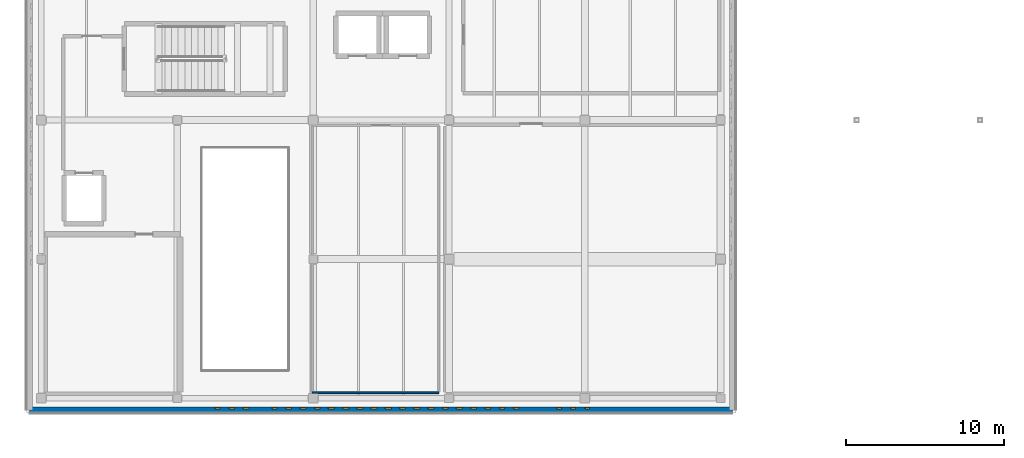
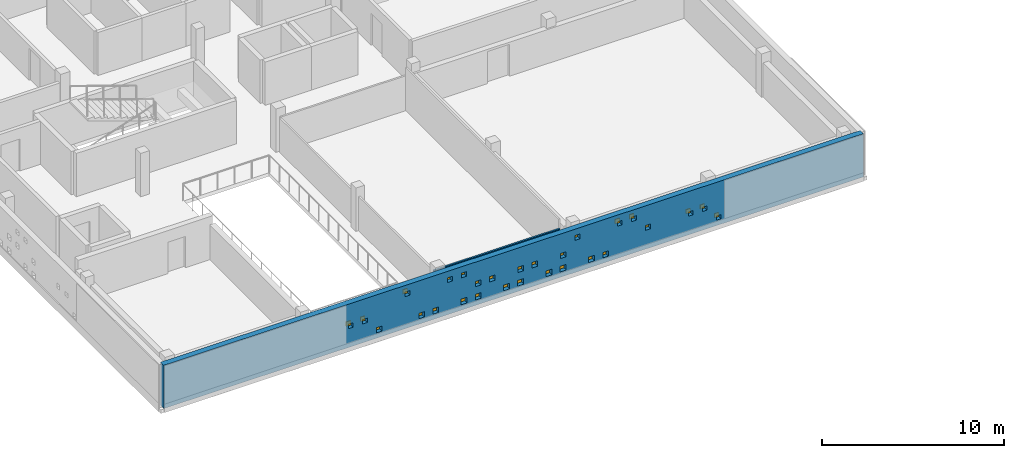
# One storey, part 8 of 17: 28 windows, 2 walls, 28 openings.
"""IFC4 building model written with IfcOpenShell, lengths in metres."""

from ifc_helpers import new_model, si_unit, direction, frame, frame_2d, origin, place, context, subcontext, project, spatial, rectangle, extrude, material, layer, layer_set, type_object, element, fill, save


model = new_model("IFC4")

# Units and contexts
model_context = context("Model", 3, precision=1e-05, world=origin(), true_north=direction((0.0, 1.0)))
body_context = subcontext(model_context, "Body", "Model", "MODEL_VIEW")
ifc_project = project(units=[si_unit("LENGTHUNIT", "METRE"), si_unit("AREAUNIT", "SQUARE_METRE"), si_unit("VOLUMEUNIT", "CUBIC_METRE"), si_unit("PLANEANGLEUNIT", "RADIAN"), si_unit("MASSUNIT", "GRAM", prefix="KILO")], contexts=[model_context])

# Site, building, storey
site_placement = place(None, origin())
site = spatial("IfcSite", under=ifc_project, at=site_placement, CompositionType="ELEMENT")
building_placement = place(site_placement, origin())
building = spatial("IfcBuilding", under=site, at=building_placement, Name="Varnakota Cinema and Media Centre", CompositionType="ELEMENT")
storey_placement = place(building_placement, frame((0.0, 0.0, 22.35009765625)))
storey = spatial("IfcBuildingStorey", under=building, at=storey_placement, Name="L06", CompositionType="ELEMENT", Elevation=22.35009765625)

# Wall, openings, windows
ifc_material_1 = material(Name="Pale Tandur limestone cladding", Category="masonry")
ifc_layer_1 = layer(ifc_material_1, 0.360107421875)
ifc_layer_set_1 = layer_set([ifc_layer_1], Name="Pale Tandur limestone cladding")
wall_type_1 = type_object("IfcWallType", Name="W-EXT-TANDUR-360", PredefinedType="SOLIDWALL", material=ifc_layer_set_1)
wall_1_placement = place(storey_placement, frame((43.739990234375, -0.739990234375, 0.0), z_axis=(0.0, 0.0, 1.0), x_axis=(-1.0, 0.0, 0.0)))
wall_1 = element("IfcWall", 1, at=wall_1_placement, inside=storey, type_object=wall_type_1, Name="L06 V4 pale Tandur stone monolith wall V4-S", PredefinedType="SOLIDWALL", context=body_context, shape_type="SweptSolid", body=[
    extrude(rectangle(XDim=44.47998046875, YDim=0.360107421875, at=frame_2d((22.239990234375, 0.0))), origin(), (0.0, 0.0, 1.0), 2.909912109375),
])
opening_1_placement = place(wall_1_placement, frame((9.050048828125, 0.0, 0.360107421875)))
opening_1 = element("IfcOpeningElement", 2, at=opening_1_placement, cuts=wall_1, Name="Opening WP15", PredefinedType="OPENING", context=body_context, shape_type="SweptSolid", body=[
    extrude(rectangle(XDim=0.280029296875, YDim=0.280029296875, at=frame_2d((0.14013671875, 0.14013671875))), frame((0.0, 0.18017578125, 0.0), z_axis=(0.0, -1.0, 0.0), x_axis=(1.0, 0.0, 0.0)), (0.0, 0.0, 1.0), 0.360107421875),
])
opening_2_placement = place(wall_1_placement, frame((9.949951171875, 0.0, 1.260009765625)))
opening_2 = element("IfcOpeningElement", 3, at=opening_2_placement, cuts=wall_1, Name="Opening WP15", PredefinedType="OPENING", context=body_context, shape_type="SweptSolid", body=[
    extrude(rectangle(XDim=0.280029296875, YDim=0.280029296875, at=frame_2d((0.14013671875, 0.14013671875))), frame((0.0, 0.18017578125, 0.0), z_axis=(0.0, -1.0, 0.0), x_axis=(1.0, 0.0, 0.0)), (0.0, 0.0, 1.0), 0.360107421875),
])
opening_3_placement = place(wall_1_placement, frame((10.85009765625, 0.0, 1.260009765625)))
opening_3 = element("IfcOpeningElement", 4, at=opening_3_placement, cuts=wall_1, Name="Opening WP15", PredefinedType="OPENING", context=body_context, shape_type="SweptSolid", body=[
    extrude(rectangle(XDim=0.280029296875, YDim=0.280029296875, at=frame_2d((0.14013671875, 0.14013671875))), frame((0.0, 0.18017578125, 0.0), z_axis=(0.0, -1.0, 0.0), x_axis=(1.0, 0.0, 0.0)), (0.0, 0.0, 1.0), 0.360107421875),
])
opening_4_placement = place(wall_1_placement, frame((13.530029296875, 0.0, 1.260009765625)))
opening_4 = element("IfcOpeningElement", 5, at=opening_4_placement, cuts=wall_1, Name="Opening WP13", PredefinedType="OPENING", context=body_context, shape_type="SweptSolid", body=[
    extrude(rectangle(XDim=0.320068359375, YDim=0.320068359375, at=frame_2d((0.16015625, 0.16015625))), frame((0.0, 0.18017578125, 0.0), z_axis=(0.0, -1.0, 0.0), x_axis=(1.0, 0.0, 0.0)), (0.0, 0.0, 1.0), 0.360107421875),
])
opening_5_placement = place(wall_1_placement, frame((14.43994140625, 0.0, 2.159912109375)))
opening_5 = element("IfcOpeningElement", 6, at=opening_5_placement, cuts=wall_1, Name="Opening WP14", PredefinedType="OPENING", context=body_context, shape_type="SweptSolid", body=[
    extrude(rectangle(XDim=0.300048828125, YDim=0.300048828125, at=frame_2d((0.14990234375, 0.14990234375))), frame((0.0, 0.18017578125, 0.0), z_axis=(0.0, -1.0, 0.0), x_axis=(1.0, 0.0, 0.0)), (0.0, 0.0, 1.0), 0.360107421875),
])
opening_6_placement = place(wall_1_placement, frame((15.340087890625, 0.0, 2.159912109375)))
opening_6 = element("IfcOpeningElement", 7, at=opening_6_placement, cuts=wall_1, Name="Opening WP14", PredefinedType="OPENING", context=body_context, shape_type="SweptSolid", body=[
    extrude(rectangle(XDim=0.300048828125, YDim=0.300048828125, at=frame_2d((0.14990234375, 0.14990234375))), frame((0.0, 0.18017578125, 0.0), z_axis=(0.0, -1.0, 0.0), x_axis=(1.0, 0.0, 0.0)), (0.0, 0.0, 1.0), 0.360107421875),
])
opening_7_placement = place(wall_1_placement, frame((16.2099609375, 0.0, 0.360107421875)))
opening_7 = element("IfcOpeningElement", 8, at=opening_7_placement, cuts=wall_1, Name="Opening WP11", PredefinedType="OPENING", context=body_context, shape_type="SweptSolid", body=[
    extrude(rectangle(XDim=0.360107421875, YDim=0.360107421875, at=frame_2d((0.18017578125, 0.18017578125))), frame((0.0, 0.18017578125, 0.0), z_axis=(0.0, -1.0, 0.0), x_axis=(1.0, 0.0, 0.0)), (0.0, 0.0, 1.0), 0.360107421875),
])
opening_8_placement = place(wall_1_placement, frame((17.110107421875, 0.0, 0.360107421875)))
opening_8 = element("IfcOpeningElement", 9, at=opening_8_placement, cuts=wall_1, Name="Opening WP11", PredefinedType="OPENING", context=body_context, shape_type="SweptSolid", body=[
    extrude(rectangle(XDim=0.360107421875, YDim=0.360107421875, at=frame_2d((0.18017578125, 0.18017578125))), frame((0.0, 0.18017578125, 0.0), z_axis=(0.0, -1.0, 0.0), x_axis=(1.0, 0.0, 0.0)), (0.0, 0.0, 1.0), 0.360107421875),
])
opening_9_placement = place(wall_1_placement, frame((18.030029296875, 0.0, 2.159912109375)))
opening_9 = element("IfcOpeningElement", 10, at=opening_9_placement, cuts=wall_1, Name="Opening WP13", PredefinedType="OPENING", context=body_context, shape_type="SweptSolid", body=[
    extrude(rectangle(XDim=0.320068359375, YDim=0.320068359375, at=frame_2d((0.16015625, 0.16015625))), frame((0.0, 0.18017578125, 0.0), z_axis=(0.0, -1.0, 0.0), x_axis=(1.0, 0.0, 0.0)), (0.0, 0.0, 1.0), 0.360107421875),
])
opening_10_placement = place(wall_1_placement, frame((18.89990234375, 0.0, 0.360107421875)))
opening_10 = element("IfcOpeningElement", 11, at=opening_10_placement, cuts=wall_1, Name="Opening WP10", PredefinedType="OPENING", context=body_context, shape_type="SweptSolid", body=[
    extrude(rectangle(XDim=0.3798828125, YDim=0.3798828125, at=frame_2d((0.18994140625, 0.18994140625))), frame((0.0, 0.18017578125, 0.0), z_axis=(0.0, -1.0, 0.0), x_axis=(1.0, 0.0, 0.0)), (0.0, 0.0, 1.0), 0.360107421875),
])
opening_11_placement = place(wall_1_placement, frame((18.919921875, 0.0, 1.260009765625)))
opening_11 = element("IfcOpeningElement", 12, at=opening_11_placement, cuts=wall_1, Name="Opening WP12", PredefinedType="OPENING", context=body_context, shape_type="SweptSolid", body=[
    extrude(rectangle(XDim=0.340087890625, YDim=0.340087890625, at=frame_2d((0.169921875, 0.169921875))), frame((0.0, 0.18017578125, 0.0), z_axis=(0.0, -1.0, 0.0), x_axis=(1.0, 0.0, 0.0)), (0.0, 0.0, 1.0), 0.360107421875),
])
opening_12_placement = place(wall_1_placement, frame((19.800048828125, 0.0, 0.360107421875)))
opening_12 = element("IfcOpeningElement", 13, at=opening_12_placement, cuts=wall_1, Name="Opening WP10", PredefinedType="OPENING", context=body_context, shape_type="SweptSolid", body=[
    extrude(rectangle(XDim=0.3798828125, YDim=0.3798828125, at=frame_2d((0.18994140625, 0.18994140625))), frame((0.0, 0.18017578125, 0.0), z_axis=(0.0, -1.0, 0.0), x_axis=(1.0, 0.0, 0.0)), (0.0, 0.0, 1.0), 0.360107421875),
])
opening_13_placement = place(wall_1_placement, frame((20.7099609375, 0.0, 1.260009765625)))
opening_13 = element("IfcOpeningElement", 14, at=opening_13_placement, cuts=wall_1, Name="Opening WP11", PredefinedType="OPENING", context=body_context, shape_type="SweptSolid", body=[
    extrude(rectangle(XDim=0.360107421875, YDim=0.360107421875, at=frame_2d((0.18017578125, 0.18017578125))), frame((0.0, 0.18017578125, 0.0), z_axis=(0.0, -1.0, 0.0), x_axis=(1.0, 0.0, 0.0)), (0.0, 0.0, 1.0), 0.360107421875),
])
opening_14_placement = place(wall_1_placement, frame((21.60009765625, 0.0, 0.360107421875)))
opening_14 = element("IfcOpeningElement", 15, at=opening_14_placement, cuts=wall_1, Name="Opening WP10", PredefinedType="OPENING", context=body_context, shape_type="SweptSolid", body=[
    extrude(rectangle(XDim=0.3798828125, YDim=0.3798828125, at=frame_2d((0.18994140625, 0.18994140625))), frame((0.0, 0.18017578125, 0.0), z_axis=(0.0, -1.0, 0.0), x_axis=(1.0, 0.0, 0.0)), (0.0, 0.0, 1.0), 0.360107421875),
])
opening_15_placement = place(wall_1_placement, frame((21.610107421875, 0.0, 1.260009765625)))
opening_15 = element("IfcOpeningElement", 16, at=opening_15_placement, cuts=wall_1, Name="Opening WP11", PredefinedType="OPENING", context=body_context, shape_type="SweptSolid", body=[
    extrude(rectangle(XDim=0.360107421875, YDim=0.360107421875, at=frame_2d((0.18017578125, 0.18017578125))), frame((0.0, 0.18017578125, 0.0), z_axis=(0.0, -1.0, 0.0), x_axis=(1.0, 0.0, 0.0)), (0.0, 0.0, 1.0), 0.360107421875),
])
opening_16_placement = place(wall_1_placement, frame((22.5, 0.0, 0.360107421875)))
opening_16 = element("IfcOpeningElement", 17, at=opening_16_placement, cuts=wall_1, Name="Opening WP10", PredefinedType="OPENING", context=body_context, shape_type="SweptSolid", body=[
    extrude(rectangle(XDim=0.3798828125, YDim=0.3798828125, at=frame_2d((0.18994140625, 0.18994140625))), frame((0.0, 0.18017578125, 0.0), z_axis=(0.0, -1.0, 0.0), x_axis=(1.0, 0.0, 0.0)), (0.0, 0.0, 1.0), 0.360107421875),
])
opening_17_placement = place(wall_1_placement, frame((23.409912109375, 0.0, 1.260009765625)))
opening_17 = element("IfcOpeningElement", 18, at=opening_17_placement, cuts=wall_1, Name="Opening WP11", PredefinedType="OPENING", context=body_context, shape_type="SweptSolid", body=[
    extrude(rectangle(XDim=0.360107421875, YDim=0.360107421875, at=frame_2d((0.18017578125, 0.18017578125))), frame((0.0, 0.18017578125, 0.0), z_axis=(0.0, -1.0, 0.0), x_axis=(1.0, 0.0, 0.0)), (0.0, 0.0, 1.0), 0.360107421875),
])
opening_18_placement = place(wall_1_placement, frame((24.300048828125, 0.0, 0.360107421875)))
opening_18 = element("IfcOpeningElement", 19, at=opening_18_placement, cuts=wall_1, Name="Opening WP10", PredefinedType="OPENING", context=body_context, shape_type="SweptSolid", body=[
    extrude(rectangle(XDim=0.3798828125, YDim=0.3798828125, at=frame_2d((0.18994140625, 0.18994140625))), frame((0.0, 0.18017578125, 0.0), z_axis=(0.0, -1.0, 0.0), x_axis=(1.0, 0.0, 0.0)), (0.0, 0.0, 1.0), 0.360107421875),
])
opening_19_placement = place(wall_1_placement, frame((24.320068359375, 0.0, 1.260009765625)))
opening_19 = element("IfcOpeningElement", 20, at=opening_19_placement, cuts=wall_1, Name="Opening WP12", PredefinedType="OPENING", context=body_context, shape_type="SweptSolid", body=[
    extrude(rectangle(XDim=0.340087890625, YDim=0.340087890625, at=frame_2d((0.169921875, 0.169921875))), frame((0.0, 0.18017578125, 0.0), z_axis=(0.0, -1.0, 0.0), x_axis=(1.0, 0.0, 0.0)), (0.0, 0.0, 1.0), 0.360107421875),
])
opening_20_placement = place(wall_1_placement, frame((25.199951171875, 0.0, 0.360107421875)))
opening_20 = element("IfcOpeningElement", 21, at=opening_20_placement, cuts=wall_1, Name="Opening WP10", PredefinedType="OPENING", context=body_context, shape_type="SweptSolid", body=[
    extrude(rectangle(XDim=0.3798828125, YDim=0.3798828125, at=frame_2d((0.18994140625, 0.18994140625))), frame((0.0, 0.18017578125, 0.0), z_axis=(0.0, -1.0, 0.0), x_axis=(1.0, 0.0, 0.0)), (0.0, 0.0, 1.0), 0.360107421875),
])
opening_21_placement = place(wall_1_placement, frame((25.22998046875, 0.0, 2.159912109375)))
opening_21 = element("IfcOpeningElement", 22, at=opening_21_placement, cuts=wall_1, Name="Opening WP13", PredefinedType="OPENING", context=body_context, shape_type="SweptSolid", body=[
    extrude(rectangle(XDim=0.320068359375, YDim=0.320068359375, at=frame_2d((0.16015625, 0.16015625))), frame((0.0, 0.18017578125, 0.0), z_axis=(0.0, -1.0, 0.0), x_axis=(1.0, 0.0, 0.0)), (0.0, 0.0, 1.0), 0.360107421875),
])
opening_22_placement = place(wall_1_placement, frame((26.1298828125, 0.0, 2.159912109375)))
opening_22 = element("IfcOpeningElement", 23, at=opening_22_placement, cuts=wall_1, Name="Opening WP13", PredefinedType="OPENING", context=body_context, shape_type="SweptSolid", body=[
    extrude(rectangle(XDim=0.320068359375, YDim=0.320068359375, at=frame_2d((0.16015625, 0.16015625))), frame((0.0, 0.18017578125, 0.0), z_axis=(0.0, -1.0, 0.0), x_axis=(1.0, 0.0, 0.0)), (0.0, 0.0, 1.0), 0.360107421875),
])
opening_23_placement = place(wall_1_placement, frame((27.010009765625, 0.0, 0.360107421875)))
opening_23 = element("IfcOpeningElement", 24, at=opening_23_placement, cuts=wall_1, Name="Opening WP11", PredefinedType="OPENING", context=body_context, shape_type="SweptSolid", body=[
    extrude(rectangle(XDim=0.360107421875, YDim=0.360107421875, at=frame_2d((0.18017578125, 0.18017578125))), frame((0.0, 0.18017578125, 0.0), z_axis=(0.0, -1.0, 0.0), x_axis=(1.0, 0.0, 0.0)), (0.0, 0.0, 1.0), 0.360107421875),
])
opening_24_placement = place(wall_1_placement, frame((27.909912109375, 0.0, 0.360107421875)))
opening_24 = element("IfcOpeningElement", 25, at=opening_24_placement, cuts=wall_1, Name="Opening WP11", PredefinedType="OPENING", context=body_context, shape_type="SweptSolid", body=[
    extrude(rectangle(XDim=0.360107421875, YDim=0.360107421875, at=frame_2d((0.18017578125, 0.18017578125))), frame((0.0, 0.18017578125, 0.0), z_axis=(0.0, -1.0, 0.0), x_axis=(1.0, 0.0, 0.0)), (0.0, 0.0, 1.0), 0.360107421875),
])
opening_25_placement = place(wall_1_placement, frame((28.840087890625, 0.0, 2.159912109375)))
opening_25 = element("IfcOpeningElement", 26, at=opening_25_placement, cuts=wall_1, Name="Opening WP14", PredefinedType="OPENING", context=body_context, shape_type="SweptSolid", body=[
    extrude(rectangle(XDim=0.300048828125, YDim=0.300048828125, at=frame_2d((0.14990234375, 0.14990234375))), frame((0.0, 0.18017578125, 0.0), z_axis=(0.0, -1.0, 0.0), x_axis=(1.0, 0.0, 0.0)), (0.0, 0.0, 1.0), 0.360107421875),
])
opening_26_placement = place(wall_1_placement, frame((30.6201171875, 0.0, 0.360107421875)))
opening_26 = element("IfcOpeningElement", 27, at=opening_26_placement, cuts=wall_1, Name="Opening WP12", PredefinedType="OPENING", context=body_context, shape_type="SweptSolid", body=[
    extrude(rectangle(XDim=0.340087890625, YDim=0.340087890625, at=frame_2d((0.169921875, 0.169921875))), frame((0.0, 0.18017578125, 0.0), z_axis=(0.0, -1.0, 0.0), x_axis=(1.0, 0.0, 0.0)), (0.0, 0.0, 1.0), 0.360107421875),
])
opening_27_placement = place(wall_1_placement, frame((31.5400390625, 0.0, 1.260009765625)))
opening_27 = element("IfcOpeningElement", 28, at=opening_27_placement, cuts=wall_1, Name="Opening WP14", PredefinedType="OPENING", context=body_context, shape_type="SweptSolid", body=[
    extrude(rectangle(XDim=0.300048828125, YDim=0.300048828125, at=frame_2d((0.14990234375, 0.14990234375))), frame((0.0, 0.18017578125, 0.0), z_axis=(0.0, -1.0, 0.0), x_axis=(1.0, 0.0, 0.0)), (0.0, 0.0, 1.0), 0.360107421875),
])
opening_28_placement = place(wall_1_placement, frame((32.43994140625, 0.0, 1.260009765625)))
opening_28 = element("IfcOpeningElement", 29, at=opening_28_placement, cuts=wall_1, Name="Opening WP14", PredefinedType="OPENING", context=body_context, shape_type="SweptSolid", body=[
    extrude(rectangle(XDim=0.300048828125, YDim=0.300048828125, at=frame_2d((0.14990234375, 0.14990234375))), frame((0.0, 0.18017578125, 0.0), z_axis=(0.0, -1.0, 0.0), x_axis=(1.0, 0.0, 0.0)), (0.0, 0.0, 1.0), 0.360107421875),
])
ifc_material_2 = material(Name="Laminated solar-control double glazing", Category="glass")
window_type_1 = type_object("IfcWindowType", Name="WIN-PIERCE-10", PartitioningType="SINGLE_PANEL", PredefinedType="WINDOW", material=ifc_material_2)
window_1_placement = place(opening_10_placement, origin())
window_1 = element("IfcWindow", 30, at=window_1_placement, inside=storey, type_object=window_type_1, Name="L06 window WP10", OverallHeight=0.3798828125, OverallWidth=0.3798828125, PartitioningType="SINGLE_PANEL", PredefinedType="WINDOW", context=body_context, shape_type="SweptSolid", body=[
    extrude(rectangle(XDim=0.3798828125, YDim=0.3798828125, at=frame_2d((0.18994140625, 0.18994140625))), frame((0.0, -0.070068359375, 0.0), z_axis=(0.0, -1.0, 0.0), x_axis=(1.0, 0.0, 0.0)), (0.0, 0.0, 1.0), 0.06005859375),
])
fill(opening_10, window_1)
window_2_placement = place(opening_12_placement, origin())
window_2 = element("IfcWindow", 31, at=window_2_placement, inside=storey, type_object=window_type_1, Name="L06 window WP10", OverallHeight=0.3798828125, OverallWidth=0.3798828125, PartitioningType="SINGLE_PANEL", PredefinedType="WINDOW", context=body_context, shape_type="SweptSolid", body=[
    extrude(rectangle(XDim=0.3798828125, YDim=0.3798828125, at=frame_2d((0.18994140625, 0.18994140625))), frame((0.0, -0.070068359375, 0.0), z_axis=(0.0, -1.0, 0.0), x_axis=(1.0, 0.0, 0.0)), (0.0, 0.0, 1.0), 0.06005859375),
])
fill(opening_12, window_2)
window_3_placement = place(opening_14_placement, origin())
window_3 = element("IfcWindow", 32, at=window_3_placement, inside=storey, type_object=window_type_1, Name="L06 window WP10", OverallHeight=0.3798828125, OverallWidth=0.3798828125, PartitioningType="SINGLE_PANEL", PredefinedType="WINDOW", context=body_context, shape_type="SweptSolid", body=[
    extrude(rectangle(XDim=0.3798828125, YDim=0.3798828125, at=frame_2d((0.18994140625, 0.18994140625))), frame((0.0, -0.070068359375, 0.0), z_axis=(0.0, -1.0, 0.0), x_axis=(1.0, 0.0, 0.0)), (0.0, 0.0, 1.0), 0.06005859375),
])
fill(opening_14, window_3)
window_4_placement = place(opening_16_placement, origin())
window_4 = element("IfcWindow", 33, at=window_4_placement, inside=storey, type_object=window_type_1, Name="L06 window WP10", OverallHeight=0.3798828125, OverallWidth=0.3798828125, PartitioningType="SINGLE_PANEL", PredefinedType="WINDOW", context=body_context, shape_type="SweptSolid", body=[
    extrude(rectangle(XDim=0.3798828125, YDim=0.3798828125, at=frame_2d((0.18994140625, 0.18994140625))), frame((0.0, -0.070068359375, 0.0), z_axis=(0.0, -1.0, 0.0), x_axis=(1.0, 0.0, 0.0)), (0.0, 0.0, 1.0), 0.06005859375),
])
fill(opening_16, window_4)
window_5_placement = place(opening_18_placement, origin())
window_5 = element("IfcWindow", 34, at=window_5_placement, inside=storey, type_object=window_type_1, Name="L06 window WP10", OverallHeight=0.3798828125, OverallWidth=0.3798828125, PartitioningType="SINGLE_PANEL", PredefinedType="WINDOW", context=body_context, shape_type="SweptSolid", body=[
    extrude(rectangle(XDim=0.3798828125, YDim=0.3798828125, at=frame_2d((0.18994140625, 0.18994140625))), frame((0.0, -0.070068359375, 0.0), z_axis=(0.0, -1.0, 0.0), x_axis=(1.0, 0.0, 0.0)), (0.0, 0.0, 1.0), 0.06005859375),
])
fill(opening_18, window_5)
window_6_placement = place(opening_20_placement, origin())
window_6 = element("IfcWindow", 35, at=window_6_placement, inside=storey, type_object=window_type_1, Name="L06 window WP10", OverallHeight=0.3798828125, OverallWidth=0.3798828125, PartitioningType="SINGLE_PANEL", PredefinedType="WINDOW", context=body_context, shape_type="SweptSolid", body=[
    extrude(rectangle(XDim=0.3798828125, YDim=0.3798828125, at=frame_2d((0.18994140625, 0.18994140625))), frame((0.0, -0.070068359375, 0.0), z_axis=(0.0, -1.0, 0.0), x_axis=(1.0, 0.0, 0.0)), (0.0, 0.0, 1.0), 0.06005859375),
])
fill(opening_20, window_6)
ifc_material_3 = material(Name="Laminated solar-control double glazing", Category="glass")
window_type_2 = type_object("IfcWindowType", Name="WIN-PIERCE-11", PartitioningType="SINGLE_PANEL", PredefinedType="WINDOW", material=ifc_material_3)
window_7_placement = place(opening_7_placement, origin())
window_7 = element("IfcWindow", 36, at=window_7_placement, inside=storey, type_object=window_type_2, Name="L06 window WP11", OverallHeight=0.360107421875, OverallWidth=0.360107421875, PartitioningType="SINGLE_PANEL", PredefinedType="WINDOW", context=body_context, shape_type="SweptSolid", body=[
    extrude(rectangle(XDim=0.360107421875, YDim=0.360107421875, at=frame_2d((0.18017578125, 0.18017578125))), frame((0.0, -0.070068359375, 0.0), z_axis=(0.0, -1.0, 0.0), x_axis=(1.0, 0.0, 0.0)), (0.0, 0.0, 1.0), 0.06005859375),
])
fill(opening_7, window_7)
window_8_placement = place(opening_8_placement, origin())
window_8 = element("IfcWindow", 37, at=window_8_placement, inside=storey, type_object=window_type_2, Name="L06 window WP11", OverallHeight=0.360107421875, OverallWidth=0.360107421875, PartitioningType="SINGLE_PANEL", PredefinedType="WINDOW", context=body_context, shape_type="SweptSolid", body=[
    extrude(rectangle(XDim=0.360107421875, YDim=0.360107421875, at=frame_2d((0.18017578125, 0.18017578125))), frame((0.0, -0.070068359375, 0.0), z_axis=(0.0, -1.0, 0.0), x_axis=(1.0, 0.0, 0.0)), (0.0, 0.0, 1.0), 0.06005859375),
])
fill(opening_8, window_8)
window_9_placement = place(opening_13_placement, origin())
window_9 = element("IfcWindow", 38, at=window_9_placement, inside=storey, type_object=window_type_2, Name="L06 window WP11", OverallHeight=0.360107421875, OverallWidth=0.360107421875, PartitioningType="SINGLE_PANEL", PredefinedType="WINDOW", context=body_context, shape_type="SweptSolid", body=[
    extrude(rectangle(XDim=0.360107421875, YDim=0.360107421875, at=frame_2d((0.18017578125, 0.18017578125))), frame((0.0, -0.070068359375, 0.0), z_axis=(0.0, -1.0, 0.0), x_axis=(1.0, 0.0, 0.0)), (0.0, 0.0, 1.0), 0.06005859375),
])
fill(opening_13, window_9)
window_10_placement = place(opening_15_placement, origin())
window_10 = element("IfcWindow", 39, at=window_10_placement, inside=storey, type_object=window_type_2, Name="L06 window WP11", OverallHeight=0.360107421875, OverallWidth=0.360107421875, PartitioningType="SINGLE_PANEL", PredefinedType="WINDOW", context=body_context, shape_type="SweptSolid", body=[
    extrude(rectangle(XDim=0.360107421875, YDim=0.360107421875, at=frame_2d((0.18017578125, 0.18017578125))), frame((0.0, -0.070068359375, 0.0), z_axis=(0.0, -1.0, 0.0), x_axis=(1.0, 0.0, 0.0)), (0.0, 0.0, 1.0), 0.06005859375),
])
fill(opening_15, window_10)
window_11_placement = place(opening_17_placement, origin())
window_11 = element("IfcWindow", 40, at=window_11_placement, inside=storey, type_object=window_type_2, Name="L06 window WP11", OverallHeight=0.360107421875, OverallWidth=0.360107421875, PartitioningType="SINGLE_PANEL", PredefinedType="WINDOW", context=body_context, shape_type="SweptSolid", body=[
    extrude(rectangle(XDim=0.360107421875, YDim=0.360107421875, at=frame_2d((0.18017578125, 0.18017578125))), frame((0.0, -0.070068359375, 0.0), z_axis=(0.0, -1.0, 0.0), x_axis=(1.0, 0.0, 0.0)), (0.0, 0.0, 1.0), 0.06005859375),
])
fill(opening_17, window_11)
window_12_placement = place(opening_23_placement, origin())
window_12 = element("IfcWindow", 41, at=window_12_placement, inside=storey, type_object=window_type_2, Name="L06 window WP11", OverallHeight=0.360107421875, OverallWidth=0.360107421875, PartitioningType="SINGLE_PANEL", PredefinedType="WINDOW", context=body_context, shape_type="SweptSolid", body=[
    extrude(rectangle(XDim=0.360107421875, YDim=0.360107421875, at=frame_2d((0.18017578125, 0.18017578125))), frame((0.0, -0.070068359375, 0.0), z_axis=(0.0, -1.0, 0.0), x_axis=(1.0, 0.0, 0.0)), (0.0, 0.0, 1.0), 0.06005859375),
])
fill(opening_23, window_12)
window_13_placement = place(opening_24_placement, origin())
window_13 = element("IfcWindow", 42, at=window_13_placement, inside=storey, type_object=window_type_2, Name="L06 window WP11", OverallHeight=0.360107421875, OverallWidth=0.360107421875, PartitioningType="SINGLE_PANEL", PredefinedType="WINDOW", context=body_context, shape_type="SweptSolid", body=[
    extrude(rectangle(XDim=0.360107421875, YDim=0.360107421875, at=frame_2d((0.18017578125, 0.18017578125))), frame((0.0, -0.070068359375, 0.0), z_axis=(0.0, -1.0, 0.0), x_axis=(1.0, 0.0, 0.0)), (0.0, 0.0, 1.0), 0.06005859375),
])
fill(opening_24, window_13)
ifc_material_4 = material(Name="Laminated solar-control double glazing", Category="glass")
window_type_3 = type_object("IfcWindowType", Name="WIN-PIERCE-12", PartitioningType="SINGLE_PANEL", PredefinedType="WINDOW", material=ifc_material_4)
window_14_placement = place(opening_11_placement, origin())
window_14 = element("IfcWindow", 43, at=window_14_placement, inside=storey, type_object=window_type_3, Name="L06 window WP12", OverallHeight=0.340087890625, OverallWidth=0.340087890625, PartitioningType="SINGLE_PANEL", PredefinedType="WINDOW", context=body_context, shape_type="SweptSolid", body=[
    extrude(rectangle(XDim=0.340087890625, YDim=0.340087890625, at=frame_2d((0.169921875, 0.169921875))), frame((0.0, -0.070068359375, 0.0), z_axis=(0.0, -1.0, 0.0), x_axis=(1.0, 0.0, 0.0)), (0.0, 0.0, 1.0), 0.06005859375),
])
fill(opening_11, window_14)
window_15_placement = place(opening_19_placement, origin())
window_15 = element("IfcWindow", 44, at=window_15_placement, inside=storey, type_object=window_type_3, Name="L06 window WP12", OverallHeight=0.340087890625, OverallWidth=0.340087890625, PartitioningType="SINGLE_PANEL", PredefinedType="WINDOW", context=body_context, shape_type="SweptSolid", body=[
    extrude(rectangle(XDim=0.340087890625, YDim=0.340087890625, at=frame_2d((0.169921875, 0.169921875))), frame((0.0, -0.070068359375, 0.0), z_axis=(0.0, -1.0, 0.0), x_axis=(1.0, 0.0, 0.0)), (0.0, 0.0, 1.0), 0.06005859375),
])
fill(opening_19, window_15)
window_16_placement = place(opening_26_placement, origin())
window_16 = element("IfcWindow", 45, at=window_16_placement, inside=storey, type_object=window_type_3, Name="L06 window WP12", OverallHeight=0.340087890625, OverallWidth=0.340087890625, PartitioningType="SINGLE_PANEL", PredefinedType="WINDOW", context=body_context, shape_type="SweptSolid", body=[
    extrude(rectangle(XDim=0.340087890625, YDim=0.340087890625, at=frame_2d((0.169921875, 0.169921875))), frame((0.0, -0.070068359375, 0.0), z_axis=(0.0, -1.0, 0.0), x_axis=(1.0, 0.0, 0.0)), (0.0, 0.0, 1.0), 0.06005859375),
])
fill(opening_26, window_16)
ifc_material_5 = material(Name="Laminated solar-control double glazing", Category="glass")
window_type_4 = type_object("IfcWindowType", Name="WIN-PIERCE-13", PartitioningType="SINGLE_PANEL", PredefinedType="WINDOW", material=ifc_material_5)
window_17_placement = place(opening_4_placement, origin())
window_17 = element("IfcWindow", 46, at=window_17_placement, inside=storey, type_object=window_type_4, Name="L06 window WP13", OverallHeight=0.320068359375, OverallWidth=0.320068359375, PartitioningType="SINGLE_PANEL", PredefinedType="WINDOW", context=body_context, shape_type="SweptSolid", body=[
    extrude(rectangle(XDim=0.320068359375, YDim=0.320068359375, at=frame_2d((0.16015625, 0.16015625))), frame((0.0, -0.070068359375, 0.0), z_axis=(0.0, -1.0, 0.0), x_axis=(1.0, 0.0, 0.0)), (0.0, 0.0, 1.0), 0.06005859375),
])
fill(opening_4, window_17)
window_18_placement = place(opening_9_placement, origin())
window_18 = element("IfcWindow", 47, at=window_18_placement, inside=storey, type_object=window_type_4, Name="L06 window WP13", OverallHeight=0.320068359375, OverallWidth=0.320068359375, PartitioningType="SINGLE_PANEL", PredefinedType="WINDOW", context=body_context, shape_type="SweptSolid", body=[
    extrude(rectangle(XDim=0.320068359375, YDim=0.320068359375, at=frame_2d((0.16015625, 0.16015625))), frame((0.0, -0.070068359375, 0.0), z_axis=(0.0, -1.0, 0.0), x_axis=(1.0, 0.0, 0.0)), (0.0, 0.0, 1.0), 0.06005859375),
])
fill(opening_9, window_18)
window_19_placement = place(opening_21_placement, origin())
window_19 = element("IfcWindow", 48, at=window_19_placement, inside=storey, type_object=window_type_4, Name="L06 window WP13", OverallHeight=0.320068359375, OverallWidth=0.320068359375, PartitioningType="SINGLE_PANEL", PredefinedType="WINDOW", context=body_context, shape_type="SweptSolid", body=[
    extrude(rectangle(XDim=0.320068359375, YDim=0.320068359375, at=frame_2d((0.16015625, 0.16015625))), frame((0.0, -0.070068359375, 0.0), z_axis=(0.0, -1.0, 0.0), x_axis=(1.0, 0.0, 0.0)), (0.0, 0.0, 1.0), 0.06005859375),
])
fill(opening_21, window_19)
window_20_placement = place(opening_22_placement, origin())
window_20 = element("IfcWindow", 49, at=window_20_placement, inside=storey, type_object=window_type_4, Name="L06 window WP13", OverallHeight=0.320068359375, OverallWidth=0.320068359375, PartitioningType="SINGLE_PANEL", PredefinedType="WINDOW", context=body_context, shape_type="SweptSolid", body=[
    extrude(rectangle(XDim=0.320068359375, YDim=0.320068359375, at=frame_2d((0.16015625, 0.16015625))), frame((0.0, -0.070068359375, 0.0), z_axis=(0.0, -1.0, 0.0), x_axis=(1.0, 0.0, 0.0)), (0.0, 0.0, 1.0), 0.06005859375),
])
fill(opening_22, window_20)
ifc_material_6 = material(Name="Laminated solar-control double glazing", Category="glass")
window_type_5 = type_object("IfcWindowType", Name="WIN-PIERCE-14", PartitioningType="SINGLE_PANEL", PredefinedType="WINDOW", material=ifc_material_6)
window_21_placement = place(opening_5_placement, origin())
window_21 = element("IfcWindow", 50, at=window_21_placement, inside=storey, type_object=window_type_5, Name="L06 window WP14", OverallHeight=0.300048828125, OverallWidth=0.300048828125, PartitioningType="SINGLE_PANEL", PredefinedType="WINDOW", context=body_context, shape_type="SweptSolid", body=[
    extrude(rectangle(XDim=0.300048828125, YDim=0.300048828125, at=frame_2d((0.14990234375, 0.14990234375))), frame((0.0, -0.070068359375, 0.0), z_axis=(0.0, -1.0, 0.0), x_axis=(1.0, 0.0, 0.0)), (0.0, 0.0, 1.0), 0.06005859375),
])
fill(opening_5, window_21)
window_22_placement = place(opening_6_placement, origin())
window_22 = element("IfcWindow", 51, at=window_22_placement, inside=storey, type_object=window_type_5, Name="L06 window WP14", OverallHeight=0.300048828125, OverallWidth=0.300048828125, PartitioningType="SINGLE_PANEL", PredefinedType="WINDOW", context=body_context, shape_type="SweptSolid", body=[
    extrude(rectangle(XDim=0.300048828125, YDim=0.300048828125, at=frame_2d((0.14990234375, 0.14990234375))), frame((0.0, -0.070068359375, 0.0), z_axis=(0.0, -1.0, 0.0), x_axis=(1.0, 0.0, 0.0)), (0.0, 0.0, 1.0), 0.06005859375),
])
fill(opening_6, window_22)
window_23_placement = place(opening_25_placement, origin())
window_23 = element("IfcWindow", 52, at=window_23_placement, inside=storey, type_object=window_type_5, Name="L06 window WP14", OverallHeight=0.300048828125, OverallWidth=0.300048828125, PartitioningType="SINGLE_PANEL", PredefinedType="WINDOW", context=body_context, shape_type="SweptSolid", body=[
    extrude(rectangle(XDim=0.300048828125, YDim=0.300048828125, at=frame_2d((0.14990234375, 0.14990234375))), frame((0.0, -0.070068359375, 0.0), z_axis=(0.0, -1.0, 0.0), x_axis=(1.0, 0.0, 0.0)), (0.0, 0.0, 1.0), 0.06005859375),
])
fill(opening_25, window_23)
window_24_placement = place(opening_27_placement, origin())
window_24 = element("IfcWindow", 53, at=window_24_placement, inside=storey, type_object=window_type_5, Name="L06 window WP14", OverallHeight=0.300048828125, OverallWidth=0.300048828125, PartitioningType="SINGLE_PANEL", PredefinedType="WINDOW", context=body_context, shape_type="SweptSolid", body=[
    extrude(rectangle(XDim=0.300048828125, YDim=0.300048828125, at=frame_2d((0.14990234375, 0.14990234375))), frame((0.0, -0.070068359375, 0.0), z_axis=(0.0, -1.0, 0.0), x_axis=(1.0, 0.0, 0.0)), (0.0, 0.0, 1.0), 0.06005859375),
])
fill(opening_27, window_24)
window_25_placement = place(opening_28_placement, origin())
window_25 = element("IfcWindow", 54, at=window_25_placement, inside=storey, type_object=window_type_5, Name="L06 window WP14", OverallHeight=0.300048828125, OverallWidth=0.300048828125, PartitioningType="SINGLE_PANEL", PredefinedType="WINDOW", context=body_context, shape_type="SweptSolid", body=[
    extrude(rectangle(XDim=0.300048828125, YDim=0.300048828125, at=frame_2d((0.14990234375, 0.14990234375))), frame((0.0, -0.070068359375, 0.0), z_axis=(0.0, -1.0, 0.0), x_axis=(1.0, 0.0, 0.0)), (0.0, 0.0, 1.0), 0.06005859375),
])
fill(opening_28, window_25)
ifc_material_7 = material(Name="Laminated solar-control double glazing", Category="glass")
window_type_6 = type_object("IfcWindowType", Name="WIN-PIERCE-15", PartitioningType="SINGLE_PANEL", PredefinedType="WINDOW", material=ifc_material_7)
window_26_placement = place(opening_1_placement, origin())
window_26 = element("IfcWindow", 55, at=window_26_placement, inside=storey, type_object=window_type_6, Name="L06 window WP15", OverallHeight=0.280029296875, OverallWidth=0.280029296875, PartitioningType="SINGLE_PANEL", PredefinedType="WINDOW", context=body_context, shape_type="SweptSolid", body=[
    extrude(rectangle(XDim=0.280029296875, YDim=0.280029296875, at=frame_2d((0.14013671875, 0.14013671875))), frame((0.0, -0.070068359375, 0.0), z_axis=(0.0, -1.0, 0.0), x_axis=(1.0, 0.0, 0.0)), (0.0, 0.0, 1.0), 0.06005859375),
])
fill(opening_1, window_26)
window_27_placement = place(opening_2_placement, origin())
window_27 = element("IfcWindow", 56, at=window_27_placement, inside=storey, type_object=window_type_6, Name="L06 window WP15", OverallHeight=0.280029296875, OverallWidth=0.280029296875, PartitioningType="SINGLE_PANEL", PredefinedType="WINDOW", context=body_context, shape_type="SweptSolid", body=[
    extrude(rectangle(XDim=0.280029296875, YDim=0.280029296875, at=frame_2d((0.14013671875, 0.14013671875))), frame((0.0, -0.070068359375, 0.0), z_axis=(0.0, -1.0, 0.0), x_axis=(1.0, 0.0, 0.0)), (0.0, 0.0, 1.0), 0.06005859375),
])
fill(opening_2, window_27)
window_28_placement = place(opening_3_placement, origin())
window_28 = element("IfcWindow", 57, at=window_28_placement, inside=storey, type_object=window_type_6, Name="L06 window WP15", OverallHeight=0.280029296875, OverallWidth=0.280029296875, PartitioningType="SINGLE_PANEL", PredefinedType="WINDOW", context=body_context, shape_type="SweptSolid", body=[
    extrude(rectangle(XDim=0.280029296875, YDim=0.280029296875, at=frame_2d((0.14013671875, 0.14013671875))), frame((0.0, -0.070068359375, 0.0), z_axis=(0.0, -1.0, 0.0), x_axis=(1.0, 0.0, 0.0)), (0.0, 0.0, 1.0), 0.06005859375),
])
fill(opening_3, window_28)

# Wall
ifc_material_8 = material(Name="Autoclaved aerated concrete blockwork", Category="masonry")
ifc_layer_2 = layer(ifc_material_8, 0.110107421875)
ifc_layer_set_2 = layer_set([ifc_layer_2], Name="Autoclaved aerated concrete blockwork")
wall_type_2 = type_object("IfcWallType", Name="W-PART-110", PredefinedType="PARTITIONING", material=ifc_layer_set_2)
wall_2_placement = place(storey_placement, frame((25.155029296875, 0.344970703125, 0.0), z_axis=(0.0, 0.0, 1.0), x_axis=(-1.0, 0.0, 0.0)))
element("IfcWall", 58, at=wall_2_placement, inside=storey, type_object=wall_type_2, Name="L06 RWALL-RM-L06-PROJ6 S wall", PredefinedType="PARTITIONING", context=body_context, shape_type="SweptSolid", body=[
    extrude(rectangle(XDim=8.010009765625, YDim=0.110107421875, at=frame_2d((4.0048828125, 0.0))), origin(), (0.0, 0.0, 1.0), 2.289794921875),
])

save(model, "model.ifc")
